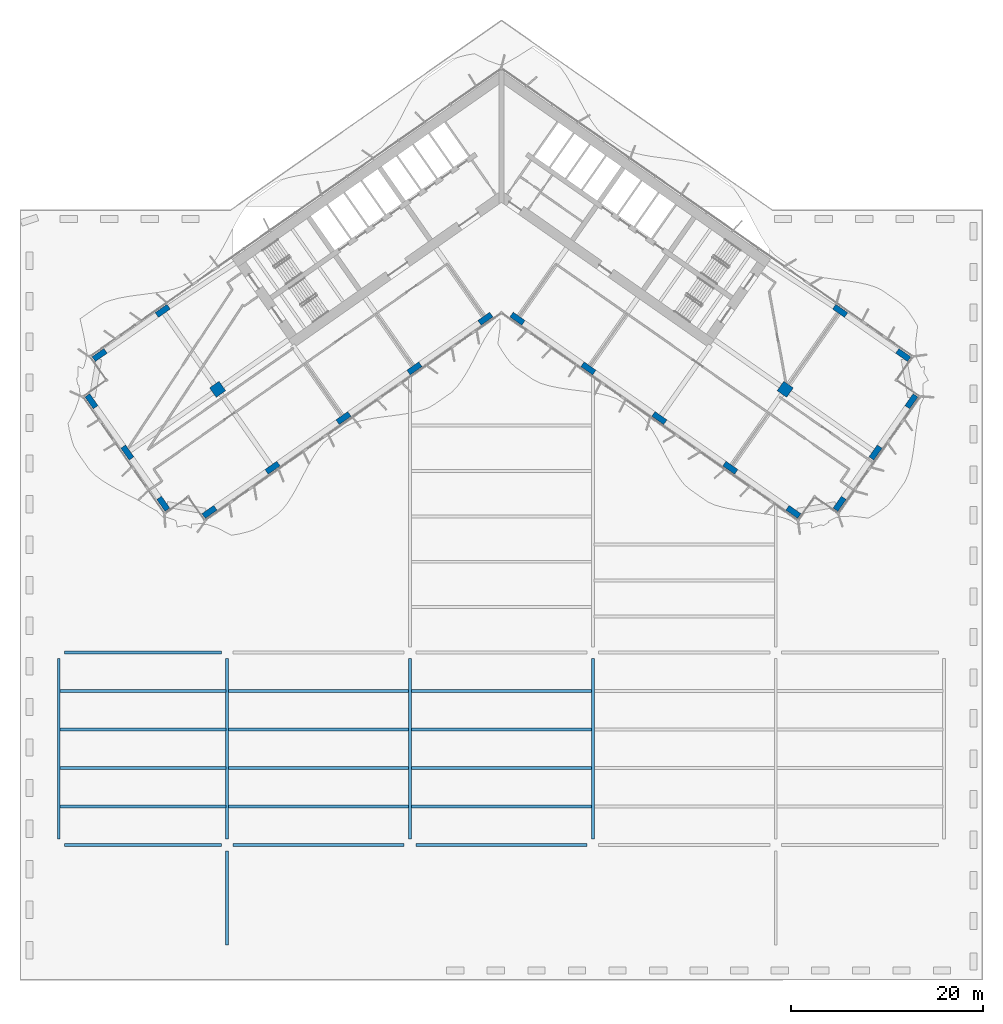
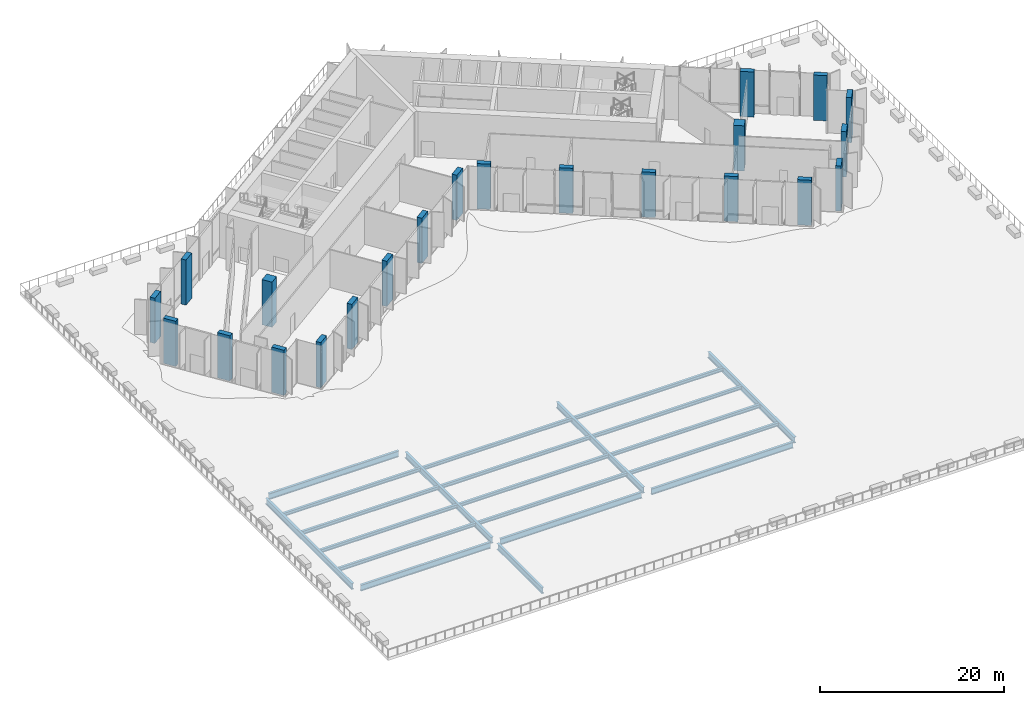
# One storey, part 1 of 27: 22 columns, 21 beams.
"""IFC4 building model written with IfcOpenShell, lengths in metres."""

from ifc_helpers import new_model, si_unit, direction, frame, origin, origin_2d, place, context, subcontext, project, spatial, rectangle, i_section, extrude, material, material_profile, profile_set, type_object, element, save


model = new_model("IFC4")

# Units and contexts
model_context = context("Model", 3, precision=1e-05, world=origin(), true_north=direction((0.0, 1.0)))
body_context = subcontext(model_context, "Body", "Model", "MODEL_VIEW")
ifc_project = project(units=[si_unit("LENGTHUNIT", "METRE"), si_unit("AREAUNIT", "SQUARE_METRE"), si_unit("VOLUMEUNIT", "CUBIC_METRE"), si_unit("PLANEANGLEUNIT", "RADIAN"), si_unit("MASSUNIT", "GRAM", prefix="KILO")], contexts=[model_context])

# Site, building, storey
site_placement = place(None, origin())
site = spatial("IfcSite", under=ifc_project, at=site_placement, CompositionType="ELEMENT")
building_placement = place(site_placement, origin())
building = spatial("IfcBuilding", under=site, at=building_placement, Name="Tel Ilan Convention Tower", CompositionType="ELEMENT")
storey_placement = place(building_placement, frame((0.0, 0.0, 48.5)))
storey = spatial("IfcBuildingStorey", under=building, at=storey_placement, Name="L07", CompositionType="ELEMENT", Elevation=48.5)

# Columns
ifc_material_1 = material(Name="Concrete C60/75", Category="concrete")
ifc_material_profile_1 = material_profile(ifc_material_1, rectangle(XDim=1.199951171875, YDim=1.199951171875, at=origin_2d()), Name="RC 1200x1200")
ifc_profile_set_1 = profile_set([ifc_material_profile_1], Name="Concrete C60/75")
column_type_1 = type_object("IfcColumnType", Name="Column RC 1200x1200 C60/75", PredefinedType="COLUMN", material=ifc_profile_set_1)
for number, where, z_axis, x_axis, name in (
    (1, (-29.489501953125, -20.648681640625, 0.0), (0.0, 0.0, 1.0), (-0.819152044289, -0.573576436351, 0.0), "L07 column W-M4"),
    (2, (29.489501953125, -20.648681640625, 0.0), (0.0, 0.0, 1.0), (0.819152044289, -0.573576436351, 0.0), "L07 column E-M4"),
):
    element("IfcColumn", number, at=place(storey_placement, frame(where, z_axis=z_axis, x_axis=x_axis)), inside=storey, type_object=column_type_1, Name=name, PredefinedType="COLUMN", context=body_context, shape_type="SweptSolid", body=[
        extrude(rectangle(XDim=1.199951171875, YDim=1.199951171875, at=origin_2d()), origin(), (0.0, 0.0, 1.0), 6.0),
    ])
ifc_material_2 = material(Name="Concrete C60/75", Category="concrete")
ifc_material_profile_2 = material_profile(ifc_material_2, rectangle(XDim=1.5, YDim=0.60009765625, at=origin_2d()), Name="RC 600x1500")
ifc_profile_set_2 = profile_set([ifc_material_profile_2], Name="Concrete C60/75")
column_type_2 = type_object("IfcColumnType", Name="Column RC 600x1500 C60/75", PredefinedType="COLUMN", material=ifc_profile_set_2)
for number, where, z_axis, x_axis, name in (
    (3, (-1.665283203125, -13.312744140625, 0.0), (0.0, 0.0, 1.0), (-0.819152044289, -0.573576436351, 0.0), "L07 column W-F1"),
    (4, (-9.03759765625, -18.474853515625, 0.0), (0.0, 0.0, 1.0), (-0.819152044289, -0.573576436351, 0.0), "L07 column W-F2"),
    (5, (-16.409912109375, -23.63720703125, 0.0), (0.0, 0.0, 1.0), (-0.819152044289, -0.573576436351, 0.0), "L07 column W-F3"),
    (6, (-23.782470703125, -28.79931640625, 0.0), (0.0, 0.0, 1.0), (-0.819152044289, -0.573576436351, 0.0), "L07 column W-F4"),
    (7, (-30.335693359375, -33.387939453125, 0.0), (0.0, 0.0, 1.0), (-0.819152044289, -0.573576436351, 0.0), "L07 column W-FC"),
    (8, (-35.196533203125, -12.498291015625, 0.0), (0.0, 0.0, 1.0), (-0.819152044289, -0.573576436351, 0.0), "L07 column W-B4"),
    (9, (-41.749755859375, -17.0869140625, 0.0), (0.0, 0.0, 1.0), (-0.819152044289, -0.573576436351, 0.0), "L07 column W-BC"),
    (10, (-35.140380859375, -32.540771484375, 0.0), (0.0, 0.0, 1.0), (-0.573576436351, 0.819152044289, 0.0), "L07 column W-E1"),
    (11, (-38.868896484375, -27.21630859375, 0.0), (0.0, 0.0, 1.0), (-0.573576436351, 0.819152044289, 0.0), "L07 column W-E2"),
    (12, (-42.596923828125, -21.8916015625, 0.0), (0.0, 0.0, 1.0), (-0.573576436351, 0.819152044289, 0.0), "L07 column W-E3"),
    (13, (1.665283203125, -13.312744140625, 0.0), (0.0, 0.0, 1.0), (0.819152044289, -0.573576436351, 0.0), "L07 column E-F1"),
    (14, (9.03759765625, -18.474853515625, 0.0), (0.0, 0.0, 1.0), (0.819152044289, -0.573576436351, 0.0), "L07 column E-F2"),
    (15, (16.409912109375, -23.63720703125, 0.0), (0.0, 0.0, 1.0), (0.819152044289, -0.573576436351, 0.0), "L07 column E-F3"),
    (16, (23.782470703125, -28.79931640625, 0.0), (0.0, 0.0, 1.0), (0.819152044289, -0.573576436351, 0.0), "L07 column E-F4"),
    (17, (30.335693359375, -33.387939453125, 0.0), (0.0, 0.0, 1.0), (0.819152044289, -0.573576436351, 0.0), "L07 column E-FC"),
    (18, (35.196533203125, -12.498291015625, 0.0), (0.0, 0.0, 1.0), (0.819152044289, -0.573576436351, 0.0), "L07 column E-B4"),
    (19, (41.749755859375, -17.0869140625, 0.0), (0.0, 0.0, 1.0), (0.819152044289, -0.573576436351, 0.0), "L07 column E-BC"),
    (20, (35.140380859375, -32.540771484375, 0.0), (0.0, 0.0, 1.0), (0.573576436351, 0.819152044289, 0.0), "L07 column E-E1"),
    (21, (38.868896484375, -27.21630859375, 0.0), (0.0, 0.0, 1.0), (0.573576436351, 0.819152044289, 0.0), "L07 column E-E2"),
    (22, (42.596923828125, -21.8916015625, 0.0), (0.0, 0.0, 1.0), (0.573576436351, 0.819152044289, 0.0), "L07 column E-E3"),
):
    element("IfcColumn", number, at=place(storey_placement, frame(where, z_axis=z_axis, x_axis=x_axis)), inside=storey, type_object=column_type_2, Name=name, PredefinedType="COLUMN", context=body_context, shape_type="SweptSolid", body=[
        extrude(rectangle(XDim=1.5, YDim=0.60009765625, at=origin_2d()), origin(), (0.0, 0.0, 1.0), 6.0),
    ])

# Beams
ifc_material_3 = material(Name="Steel S355", Category="steel")
ifc_material_profile_3 = material_profile(ifc_material_3, i_section(OverallWidth=0.300048828125, OverallDepth=0.800048828125, WebThickness=0.017578125, FlangeThickness=0.032958984375, FilletRadius=0.030029296875, at=origin_2d()), Name="HEB 800")
ifc_profile_set_3 = profile_set([ifc_material_profile_3], Name="Steel S355")
beam_type_1 = type_object("IfcBeamType", Name="Girder HEB 800 Steel S355", PredefinedType="BEAM", material=ifc_profile_set_3)
beam_1_placement = place(storey_placement, frame((-45.39990234375, -68.0, -0.800048828125), z_axis=(1.0, 0.0, 0.0), x_axis=(0.0, 1.0, 0.0)))
element("IfcBeam", 23, at=beam_1_placement, inside=storey, type_object=beam_type_1, Name="L07 beam GX21-2", PredefinedType="BEAM", context=body_context, shape_type="SweptSolid", body=[
    extrude(i_section(OverallWidth=0.300048828125, OverallDepth=0.800048828125, WebThickness=0.017578125, FlangeThickness=0.032958984375, FilletRadius=0.030029296875, at=origin_2d()), origin(), (0.0, 0.0, 1.0), 16.2998046875),
])
for number, where, z_axis, x_axis, name in (
    (24, (-27.89990234375, -68.0, -0.800048828125), (1.0, 0.0, 0.0), (0.0, 1.0, 0.0), "L07 beam GX22-3"),
    (25, (-8.89990234375, -68.0, -0.800048828125), (1.0, 0.0, 0.0), (0.0, 1.0, 0.0), "L07 beam GX23-4"),
):
    element("IfcBeam", number, at=place(storey_placement, frame(where, z_axis=z_axis, x_axis=x_axis)), inside=storey, type_object=beam_type_1, Name=name, PredefinedType="BEAM", context=body_context, shape_type="SweptSolid", body=[
        extrude(i_section(OverallWidth=0.300048828125, OverallDepth=0.800048828125, WebThickness=0.017578125, FlangeThickness=0.032958984375, FilletRadius=0.030029296875, at=origin_2d()), origin(), (0.0, 0.0, 1.0), 17.7998046875),
    ])
beam_2_placement = place(storey_placement, frame((-45.39990234375, -48.0, -0.800048828125), z_axis=(1.0, 0.0, 0.0), x_axis=(0.0, 1.0, 0.0)))
element("IfcBeam", 26, at=beam_2_placement, inside=storey, type_object=beam_type_1, Name="L07 beam GX31-2", PredefinedType="BEAM", context=body_context, shape_type="SweptSolid", body=[
    extrude(i_section(OverallWidth=0.300048828125, OverallDepth=0.800048828125, WebThickness=0.017578125, FlangeThickness=0.032958984375, FilletRadius=0.030029296875, at=origin_2d()), origin(), (0.0, 0.0, 1.0), 16.2998046875),
])
beam_3_placement = place(storey_placement, frame((-46.0, -67.39990234375, -0.800048828125), z_axis=(0.0, 1.0, 0.0), x_axis=(-1.0, 0.0, 0.0)))
element("IfcBeam", 27, at=beam_3_placement, inside=storey, type_object=beam_type_1, Name="L07 beam GY12-3", PredefinedType="BEAM", context=body_context, shape_type="SweptSolid", body=[
    extrude(i_section(OverallWidth=0.300048828125, OverallDepth=0.800048828125, WebThickness=0.017578125, FlangeThickness=0.032958984375, FilletRadius=0.030029296875, at=origin_2d()), origin(), (0.0, 0.0, 1.0), 18.7998046875),
])
beam_4_placement = place(storey_placement, frame((-28.5, -78.39990234375, -0.800048828125), z_axis=(0.0, 1.0, 0.0), x_axis=(-1.0, 0.0, 0.0)))
element("IfcBeam", 28, at=beam_4_placement, inside=storey, type_object=beam_type_1, Name="L07 beam GY21-2", PredefinedType="BEAM", context=body_context, shape_type="SweptSolid", body=[
    extrude(i_section(OverallWidth=0.300048828125, OverallDepth=0.800048828125, WebThickness=0.017578125, FlangeThickness=0.032958984375, FilletRadius=0.030029296875, at=origin_2d()), origin(), (0.0, 0.0, 1.0), 9.7998046875),
])
for number, where, z_axis, x_axis, name in (
    (29, (-28.5, -67.39990234375, -0.800048828125), (0.0, 1.0, 0.0), (-1.0, 0.0, 0.0), "L07 beam GY22-3"),
    (30, (-9.5, -67.39990234375, -0.800048828125), (0.0, 1.0, 0.0), (-1.0, 0.0, 0.0), "L07 beam GY32-3"),
    (31, (9.5, -67.39990234375, -0.800048828125), (0.0, 1.0, 0.0), (-1.0, 0.0, 0.0), "L07 beam GY42-3"),
):
    element("IfcBeam", number, at=place(storey_placement, frame(where, z_axis=z_axis, x_axis=x_axis)), inside=storey, type_object=beam_type_1, Name=name, PredefinedType="BEAM", context=body_context, shape_type="SweptSolid", body=[
        extrude(i_section(OverallWidth=0.300048828125, OverallDepth=0.800048828125, WebThickness=0.017578125, FlangeThickness=0.032958984375, FilletRadius=0.030029296875, at=origin_2d()), origin(), (0.0, 0.0, 1.0), 18.7998046875),
    ])
ifc_material_4 = material(Name="Steel S355", Category="steel")
ifc_material_profile_4 = material_profile(ifc_material_4, i_section(OverallWidth=0.300048828125, OverallDepth=0.449951171875, WebThickness=0.013916015625, FlangeThickness=0.02587890625, FilletRadius=0.027099609375, at=origin_2d()), Name="HEB 450")
ifc_profile_set_4 = profile_set([ifc_material_profile_4], Name="Steel S355")
beam_type_2 = type_object("IfcBeamType", Name="Joist HEB 450 Steel S355", PredefinedType="JOIST", material=ifc_profile_set_4)
for number, where, z_axis, x_axis, name in (
    (32, (-45.860107421875, -64.0, -0.625), (1.0, 0.0, 0.0), (0.0, 1.0, 0.0), "L07 beam J1--68-1"),
    (33, (-45.860107421875, -60.0, -0.625), (1.0, 0.0, 0.0), (0.0, 1.0, 0.0), "L07 beam J1--68-2"),
    (34, (-45.860107421875, -56.0, -0.625), (1.0, 0.0, 0.0), (0.0, 1.0, 0.0), "L07 beam J1--68-3"),
    (35, (-45.860107421875, -52.0, -0.625), (1.0, 0.0, 0.0), (0.0, 1.0, 0.0), "L07 beam J1--68-4"),
):
    element("IfcBeam", number, at=place(storey_placement, frame(where, z_axis=z_axis, x_axis=x_axis)), inside=storey, type_object=beam_type_2, Name=name, PredefinedType="JOIST", context=body_context, shape_type="SweptSolid", body=[
        extrude(i_section(OverallWidth=0.300048828125, OverallDepth=0.449951171875, WebThickness=0.013916015625, FlangeThickness=0.02587890625, FilletRadius=0.027099609375, at=origin_2d()), origin(), (0.0, 0.0, 1.0), 17.22021484375),
    ])
for number, where, z_axis, x_axis, name in (
    (36, (-28.360107421875, -64.0, -0.625), (1.0, 0.0, 0.0), (0.0, 1.0, 0.0), "L07 beam J2--68-1"),
    (37, (-28.360107421875, -60.0, -0.625), (1.0, 0.0, 0.0), (0.0, 1.0, 0.0), "L07 beam J2--68-2"),
    (38, (-28.360107421875, -56.0, -0.625), (1.0, 0.0, 0.0), (0.0, 1.0, 0.0), "L07 beam J2--68-3"),
    (39, (-28.360107421875, -52.0, -0.625), (1.0, 0.0, 0.0), (0.0, 1.0, 0.0), "L07 beam J2--68-4"),
    (40, (-9.360107421875, -64.0, -0.625), (1.0, 0.0, 0.0), (0.0, 1.0, 0.0), "L07 beam J3--68-1"),
    (41, (-9.360107421875, -60.0, -0.625), (1.0, 0.0, 0.0), (0.0, 1.0, 0.0), "L07 beam J3--68-2"),
    (42, (-9.360107421875, -56.0, -0.625), (1.0, 0.0, 0.0), (0.0, 1.0, 0.0), "L07 beam J3--68-3"),
    (43, (-9.360107421875, -52.0, -0.625), (1.0, 0.0, 0.0), (0.0, 1.0, 0.0), "L07 beam J3--68-4"),
):
    element("IfcBeam", number, at=place(storey_placement, frame(where, z_axis=z_axis, x_axis=x_axis)), inside=storey, type_object=beam_type_2, Name=name, PredefinedType="JOIST", context=body_context, shape_type="SweptSolid", body=[
        extrude(i_section(OverallWidth=0.300048828125, OverallDepth=0.449951171875, WebThickness=0.013916015625, FlangeThickness=0.02587890625, FilletRadius=0.027099609375, at=origin_2d()), origin(), (0.0, 0.0, 1.0), 18.72021484375),
    ])

save(model, "model.ifc")
